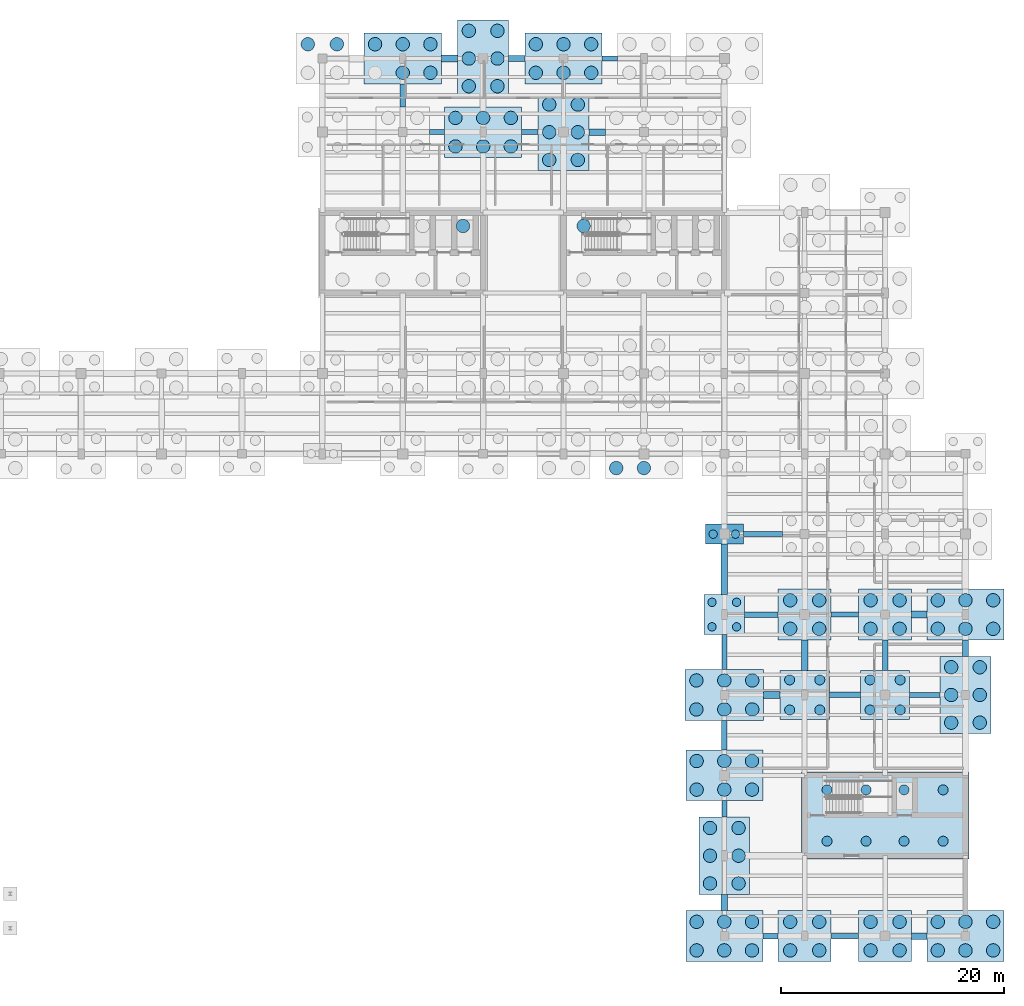
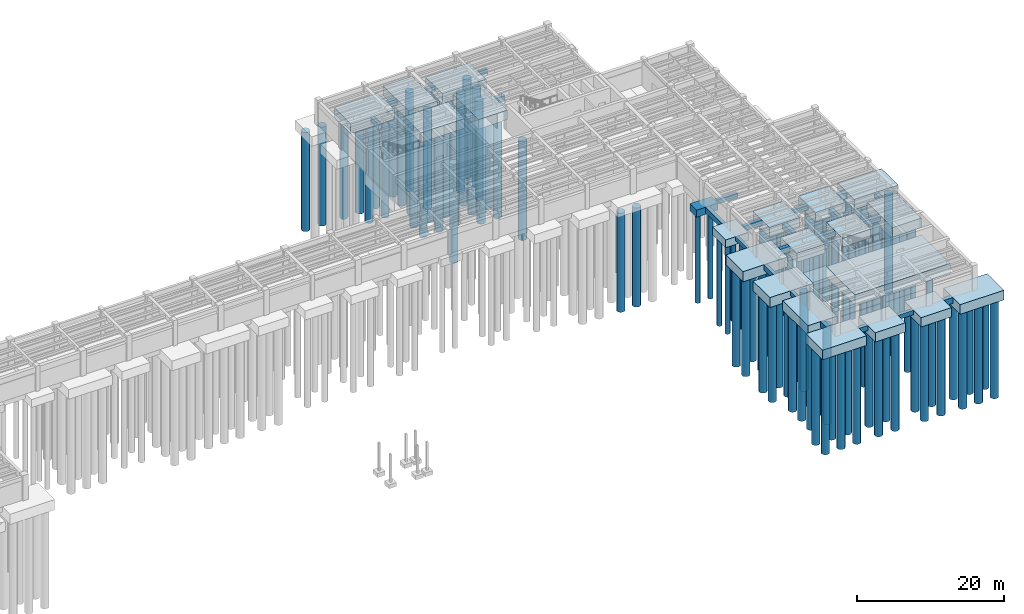
# One storey, part 3 of 22: 115 piles, 46 footings.
"""IFC4 building model written with IfcOpenShell, lengths in metres."""

from ifc_helpers import new_model, si_unit, direction, frame, origin, origin_2d, place, context, subcontext, project, spatial, rectangle, circle, extrude, material, material_profile, profile_set, type_object, element, save


model = new_model("IFC4")

# Units and contexts
model_context = context("Model", 3, precision=1e-05, world=origin(), true_north=direction((0.0, 1.0)))
body_context = subcontext(model_context, "Body", "Model", "MODEL_VIEW")
ifc_project = project(units=[si_unit("LENGTHUNIT", "METRE"), si_unit("AREAUNIT", "SQUARE_METRE"), si_unit("VOLUMEUNIT", "CUBIC_METRE"), si_unit("PLANEANGLEUNIT", "RADIAN"), si_unit("MASSUNIT", "GRAM", prefix="KILO")], contexts=[model_context])

# Site, building, storey
site_placement = place(None, origin())
site = spatial("IfcSite", under=ifc_project, at=site_placement, CompositionType="ELEMENT")
building_placement = place(site_placement, origin())
building = spatial("IfcBuilding", under=site, at=building_placement, Name="Mithqara Police Headquarters", CompositionType="ELEMENT")
storey_placement = place(building_placement, frame((0.0, 0.0, -8.39990234375)))
storey = spatial("IfcBuildingStorey", under=building, at=storey_placement, Name="B2", CompositionType="ELEMENT", Elevation=-8.39990234375)

# Footings
ifc_material = material(Name="Concrete C40/50", Category="concrete")
footing_type_1 = type_object("IfcFootingType", Name="CORE MAT 15000X7800X1700", PredefinedType="PILE_CAP", material=ifc_material)
footing_1_placement = place(storey_placement, frame((159.0, 46.199951171875, -1.7001953125), z_axis=(0.0, 0.0, 1.0), x_axis=(1.0, 0.0, 0.0)))
element("IfcFooting", 1, at=footing_1_placement, inside=storey, type_object=footing_type_1, Name="Core C4 Forensics East Piled Core Raft", PredefinedType="PILE_CAP", context=body_context, shape_type="SweptSolid", body=[
    extrude(rectangle(XDim=15.0, YDim=7.800048828125, at=origin_2d()), origin(), (0.0, 0.0, 1.0), 1.699951171875),
])
footing_type_2 = type_object("IfcFootingType", Name="GROUND BEAM 450X750", PredefinedType="FOOTING_BEAM", material=ifc_material)
footing_2_placement = place(storey_placement, frame((118.862548828125, 107.39990234375, -0.75), z_axis=(0.0, 0.0, 1.0), x_axis=(1.0, 0.0, 0.0)))
element("IfcFooting", 2, at=footing_2_placement, inside=storey, type_object=footing_type_2, Name="B2 Ground Tie Beam 17-18/R", PredefinedType="FOOTING_BEAM", context=body_context, shape_type="SweptSolid", body=[
    extrude(rectangle(XDim=1.375, YDim=0.449951171875, at=origin_2d()), origin(), (0.0, 0.0, 1.0), 0.75),
])
footing_3_placement = place(storey_placement, frame((127.1875, 107.39990234375, -0.75), z_axis=(0.0, 0.0, 1.0), x_axis=(1.0, 0.0, 0.0)))
element("IfcFooting", 3, at=footing_3_placement, inside=storey, type_object=footing_type_2, Name="B2 Ground Tie Beam 18-19/R", PredefinedType="FOOTING_BEAM", context=body_context, shape_type="SweptSolid", body=[
    extrude(rectangle(XDim=1.47509765625, YDim=0.449951171875, at=origin_2d()), origin(), (0.0, 0.0, 1.0), 0.75),
])
footing_4_placement = place(storey_placement, frame((134.33740234375, 114.0, -0.75), z_axis=(0.0, 0.0, 1.0), x_axis=(1.0, 0.0, 0.0)))
element("IfcFooting", 4, at=footing_4_placement, inside=storey, type_object=footing_type_2, Name="B2 Ground Tie Beam 19-20/S", PredefinedType="FOOTING_BEAM", context=body_context, shape_type="SweptSolid", body=[
    extrude(rectangle(XDim=1.375, YDim=0.449951171875, at=origin_2d()), origin(), (0.0, 0.0, 1.0), 0.75),
])
footing_5_placement = place(storey_placement, frame((144.60009765625, 46.78759765625, -0.75), z_axis=(0.0, 0.0, 1.0), x_axis=(1.0, 0.0, 0.0)))
element("IfcFooting", 5, at=footing_5_placement, inside=storey, type_object=footing_type_2, Name="B2 Ground Tie Beam 21/G-H", PredefinedType="FOOTING_BEAM", context=body_context, shape_type="SweptSolid", body=[
    extrude(rectangle(XDim=0.449951171875, YDim=1.47509765625, at=origin_2d()), origin(), (0.0, 0.0, 1.0), 0.75),
])
footing_6_placement = place(storey_placement, frame((144.60009765625, 60.85009765625, -0.75), z_axis=(0.0, 0.0, 1.0), x_axis=(1.0, 0.0, 0.0)))
element("IfcFooting", 6, at=footing_6_placement, inside=storey, type_object=footing_type_2, Name="B2 Ground Tie Beam 21/J-K", PredefinedType="FOOTING_BEAM", context=body_context, shape_type="SweptSolid", body=[
    extrude(rectangle(XDim=0.449951171875, YDim=3.10009765625, at=origin_2d()), origin(), (0.0, 0.0, 1.0), 0.75),
])
footing_7_placement = place(storey_placement, frame((148.050048828125, 71.39990234375, -0.75), z_axis=(0.0, 0.0, 1.0), x_axis=(1.0, 0.0, 0.0)))
element("IfcFooting", 7, at=footing_7_placement, inside=storey, type_object=footing_type_2, Name="B2 Ground Tie Beam 21-22/L", PredefinedType="FOOTING_BEAM", context=body_context, shape_type="SweptSolid", body=[
    extrude(rectangle(XDim=3.5, YDim=0.449951171875, at=origin_2d()), origin(), (0.0, 0.0, 1.0), 0.75),
])
for number, where, z_axis, x_axis, name in (
    (8, (155.39990234375, 35.39990234375, -0.75), (0.0, 0.0, 1.0), (1.0, 0.0, 0.0), "B2 Ground Tie Beam 22-23/F"),
    (9, (155.39990234375, 64.199951171875, -0.75), (0.0, 0.0, 1.0), (1.0, 0.0, 0.0), "B2 Ground Tie Beam 22-23/K"),
):
    element("IfcFooting", number, at=place(storey_placement, frame(where, z_axis=z_axis, x_axis=x_axis)), inside=storey, type_object=footing_type_2, Name=name, PredefinedType="FOOTING_BEAM", context=body_context, shape_type="SweptSolid", body=[
        extrude(rectangle(XDim=2.449951171875, YDim=0.449951171875, at=origin_2d()), origin(), (0.0, 0.0, 1.0), 0.75),
    ])
footing_8_placement = place(storey_placement, frame((162.5625, 57.0, -0.75), z_axis=(0.0, 0.0, 1.0), x_axis=(1.0, 0.0, 0.0)))
element("IfcFooting", 10, at=footing_8_placement, inside=storey, type_object=footing_type_2, Name="B2 Ground Tie Beam 23-24/J", PredefinedType="FOOTING_BEAM", context=body_context, shape_type="SweptSolid", body=[
    extrude(rectangle(XDim=2.72509765625, YDim=0.449951171875, at=origin_2d()), origin(), (0.0, 0.0, 1.0), 0.75),
])
footing_type_3 = type_object("IfcFootingType", Name="GROUND BEAM 500X850", PredefinedType="FOOTING_BEAM", material=ifc_material)
footing_9_placement = place(storey_placement, frame((115.800048828125, 110.699951171875, -0.85009765625), z_axis=(0.0, 0.0, 1.0), x_axis=(1.0, 0.0, 0.0)))
element("IfcFooting", 11, at=footing_9_placement, inside=storey, type_object=footing_type_3, Name="B2 Ground Tie Beam 17/R-S", PredefinedType="FOOTING_BEAM", context=body_context, shape_type="SweptSolid", body=[
    extrude(rectangle(XDim=0.5, YDim=2.050048828125, at=origin_2d()), origin(), (0.0, 0.0, 1.0), 0.85009765625),
])
footing_10_placement = place(storey_placement, frame((126.012451171875, 114.0, -0.85009765625), z_axis=(0.0, 0.0, 1.0), x_axis=(1.0, 0.0, 0.0)))
element("IfcFooting", 12, at=footing_10_placement, inside=storey, type_object=footing_type_3, Name="B2 Ground Tie Beam 18-19/S", PredefinedType="FOOTING_BEAM", context=body_context, shape_type="SweptSolid", body=[
    extrude(rectangle(XDim=1.47509765625, YDim=0.5, at=origin_2d()), origin(), (0.0, 0.0, 1.0), 0.85009765625),
])
footing_11_placement = place(storey_placement, frame((148.737548828125, 35.39990234375, -0.85009765625), z_axis=(0.0, 0.0, 1.0), x_axis=(1.0, 0.0, 0.0)))
element("IfcFooting", 13, at=footing_11_placement, inside=storey, type_object=footing_type_3, Name="B2 Ground Tie Beam 21-22/F", PredefinedType="FOOTING_BEAM", context=body_context, shape_type="SweptSolid", body=[
    extrude(rectangle(XDim=1.375, YDim=0.5, at=origin_2d()), origin(), (0.0, 0.0, 1.0), 0.85009765625),
])
footing_12_placement = place(storey_placement, frame((144.60009765625, 53.387451171875, -0.85009765625), z_axis=(0.0, 0.0, 1.0), x_axis=(1.0, 0.0, 0.0)))
element("IfcFooting", 14, at=footing_12_placement, inside=storey, type_object=footing_type_3, Name="B2 Ground Tie Beam 21/H-J", PredefinedType="FOOTING_BEAM", context=body_context, shape_type="SweptSolid", body=[
    extrude(rectangle(XDim=0.5, YDim=2.625, at=origin_2d()), origin(), (0.0, 0.0, 1.0), 0.85009765625),
])
footing_13_placement = place(storey_placement, frame((147.91259765625, 64.199951171875, -0.85009765625), z_axis=(0.0, 0.0, 1.0), x_axis=(1.0, 0.0, 0.0)))
element("IfcFooting", 15, at=footing_13_placement, inside=storey, type_object=footing_type_3, Name="B2 Ground Tie Beam 21-22/K", PredefinedType="FOOTING_BEAM", context=body_context, shape_type="SweptSolid", body=[
    extrude(rectangle(XDim=3.02490234375, YDim=0.5, at=origin_2d()), origin(), (0.0, 0.0, 1.0), 0.85009765625),
])
footing_14_placement = place(storey_placement, frame((155.39990234375, 57.0, -0.85009765625), z_axis=(0.0, 0.0, 1.0), x_axis=(1.0, 0.0, 0.0)))
element("IfcFooting", 16, at=footing_14_placement, inside=storey, type_object=footing_type_3, Name="B2 Ground Tie Beam 22-23/J", PredefinedType="FOOTING_BEAM", context=body_context, shape_type="SweptSolid", body=[
    extrude(rectangle(XDim=2.800048828125, YDim=0.5, at=origin_2d()), origin(), (0.0, 0.0, 1.0), 0.85009765625),
])
footing_15_placement = place(storey_placement, frame((159.0, 60.5625, -0.85009765625), z_axis=(0.0, 0.0, 1.0), x_axis=(1.0, 0.0, 0.0)))
element("IfcFooting", 17, at=footing_15_placement, inside=storey, type_object=footing_type_3, Name="B2 Ground Tie Beam 23/J-K", PredefinedType="FOOTING_BEAM", context=body_context, shape_type="SweptSolid", body=[
    extrude(rectangle(XDim=0.5, YDim=2.72509765625, at=origin_2d()), origin(), (0.0, 0.0, 1.0), 0.85009765625),
])
footing_16_placement = place(storey_placement, frame((166.199951171875, 61.1875, -0.85009765625), z_axis=(0.0, 0.0, 1.0), x_axis=(1.0, 0.0, 0.0)))
element("IfcFooting", 18, at=footing_16_placement, inside=storey, type_object=footing_type_3, Name="B2 Ground Tie Beam 24/J-K", PredefinedType="FOOTING_BEAM", context=body_context, shape_type="SweptSolid", body=[
    extrude(rectangle(XDim=0.5, YDim=1.47509765625, at=origin_2d()), origin(), (0.0, 0.0, 1.0), 0.85009765625),
])
footing_type_4 = type_object("IfcFootingType", Name="GROUND BEAM 600X950", PredefinedType="FOOTING_BEAM", material=ifc_material)
for number, where, z_axis, x_axis, name in (
    (19, (119.987548828125, 114.0, -0.9501953125), (0.0, 0.0, 1.0), (1.0, 0.0, 0.0), "B2 Ground Tie Beam 17-18/S"),
    (20, (133.21240234375, 107.39990234375, -0.9501953125), (0.0, 0.0, 1.0), (1.0, 0.0, 0.0), "B2 Ground Tie Beam 19-20/R"),
):
    element("IfcFooting", number, at=place(storey_placement, frame(where, z_axis=z_axis, x_axis=x_axis)), inside=storey, type_object=footing_type_4, Name=name, PredefinedType="FOOTING_BEAM", context=body_context, shape_type="SweptSolid", body=[
        extrude(rectangle(XDim=1.47509765625, YDim=0.60009765625, at=origin_2d()), origin(), (0.0, 0.0, 1.0), 0.949951171875),
    ])
footing_17_placement = place(storey_placement, frame((144.60009765625, 38.41259765625, -0.9501953125), z_axis=(0.0, 0.0, 1.0), x_axis=(1.0, 0.0, 0.0)))
element("IfcFooting", 21, at=footing_17_placement, inside=storey, type_object=footing_type_4, Name="B2 Ground Tie Beam 21/F-G", PredefinedType="FOOTING_BEAM", context=body_context, shape_type="SweptSolid", body=[
    extrude(rectangle(XDim=0.60009765625, YDim=1.47509765625, at=origin_2d()), origin(), (0.0, 0.0, 1.0), 0.949951171875),
])
footing_18_placement = place(storey_placement, frame((148.85009765625, 57.0, -0.9501953125), z_axis=(0.0, 0.0, 1.0), x_axis=(1.0, 0.0, 0.0)))
element("IfcFooting", 22, at=footing_18_placement, inside=storey, type_object=footing_type_4, Name="B2 Ground Tie Beam 21-22/J", PredefinedType="FOOTING_BEAM", context=body_context, shape_type="SweptSolid", body=[
    extrude(rectangle(XDim=1.5, YDim=0.60009765625, at=origin_2d()), origin(), (0.0, 0.0, 1.0), 0.949951171875),
])
footing_19_placement = place(storey_placement, frame((144.60009765625, 68.25, -0.9501953125), z_axis=(0.0, 0.0, 1.0), x_axis=(1.0, 0.0, 0.0)))
element("IfcFooting", 23, at=footing_19_placement, inside=storey, type_object=footing_type_4, Name="B2 Ground Tie Beam 21/K-L", PredefinedType="FOOTING_BEAM", context=body_context, shape_type="SweptSolid", body=[
    extrude(rectangle(XDim=0.60009765625, YDim=4.5, at=origin_2d()), origin(), (0.0, 0.0, 1.0), 0.949951171875),
])
footing_20_placement = place(storey_placement, frame((151.800048828125, 60.5625, -0.9501953125), z_axis=(0.0, 0.0, 1.0), x_axis=(1.0, 0.0, 0.0)))
element("IfcFooting", 24, at=footing_20_placement, inside=storey, type_object=footing_type_4, Name="B2 Ground Tie Beam 22/J-K", PredefinedType="FOOTING_BEAM", context=body_context, shape_type="SweptSolid", body=[
    extrude(rectangle(XDim=0.60009765625, YDim=2.72509765625, at=origin_2d()), origin(), (0.0, 0.0, 1.0), 0.949951171875),
])
for number, where, z_axis, x_axis, name in (
    (25, (162.0625, 35.39990234375, -0.9501953125), (0.0, 0.0, 1.0), (1.0, 0.0, 0.0), "B2 Ground Tie Beam 23-24/F"),
    (26, (162.0625, 64.199951171875, -0.9501953125), (0.0, 0.0, 1.0), (1.0, 0.0, 0.0), "B2 Ground Tie Beam 23-24/K"),
):
    element("IfcFooting", number, at=place(storey_placement, frame(where, z_axis=z_axis, x_axis=x_axis)), inside=storey, type_object=footing_type_4, Name=name, PredefinedType="FOOTING_BEAM", context=body_context, shape_type="SweptSolid", body=[
        extrude(rectangle(XDim=1.375, YDim=0.60009765625, at=origin_2d()), origin(), (0.0, 0.0, 1.0), 0.949951171875),
    ])
footing_type_5 = type_object("IfcFootingType", Name="PILE CAP 2P 3400X1800X1200", PredefinedType="PILE_CAP", material=ifc_material)
footing_21_placement = place(storey_placement, frame((144.60009765625, 71.39990234375, -1.2001953125), z_axis=(0.0, 0.0, 1.0), x_axis=(1.0, 0.0, 0.0)))
element("IfcFooting", 27, at=footing_21_placement, inside=storey, type_object=footing_type_5, Name="B2 Pile Cap 21/L", PredefinedType="PILE_CAP", context=body_context, shape_type="SweptSolid", body=[
    extrude(rectangle(XDim=3.39990234375, YDim=1.800048828125, at=origin_2d()), origin(), (0.0, 0.0, 1.0), 1.199951171875),
])
footing_type_6 = type_object("IfcFootingType", Name="PILE CAP 4P 3600X3600X1300", PredefinedType="PILE_CAP", material=ifc_material)
footing_22_placement = place(storey_placement, frame((144.60009765625, 64.199951171875, -1.30029296875), z_axis=(0.0, 0.0, 1.0), x_axis=(1.0, 0.0, 0.0)))
element("IfcFooting", 28, at=footing_22_placement, inside=storey, type_object=footing_type_6, Name="B2 Pile Cap 21/K", PredefinedType="PILE_CAP", context=body_context, shape_type="SweptSolid", body=[
    extrude(rectangle(XDim=3.60009765625, YDim=3.60009765625, at=origin_2d()), origin(), (0.0, 0.0, 1.0), 1.300048828125),
])
footing_type_7 = type_object("IfcFootingType", Name="PILE CAP 4P 4400X4400X1500", PredefinedType="PILE_CAP", material=ifc_material)
for number, where, z_axis, x_axis, name in (
    (29, (151.800048828125, 57.0, -1.5), (0.0, 0.0, 1.0), (1.0, 0.0, 0.0), "B2 Pile Cap 22/J"),
    (30, (159.0, 57.0, -1.5), (0.0, 0.0, 1.0), (1.0, 0.0, 0.0), "B2 Pile Cap 23/J"),
):
    element("IfcFooting", number, at=place(storey_placement, frame(where, z_axis=z_axis, x_axis=x_axis)), inside=storey, type_object=footing_type_7, Name=name, PredefinedType="PILE_CAP", context=body_context, shape_type="SweptSolid", body=[
        extrude(rectangle(XDim=4.39990234375, YDim=4.39990234375, at=origin_2d()), origin(), (0.0, 0.0, 1.0), 1.5),
    ])
footing_type_8 = type_object("IfcFootingType", Name="PILE CAP 4P 4600X4000X1550", PredefinedType="PILE_CAP", material=ifc_material)
for number, where, z_axis, x_axis, name in (
    (31, (151.800048828125, 35.39990234375, -1.55029296875), (0.0, 0.0, 1.0), (1.0, 0.0, 0.0), "B2 Pile Cap 22/F"),
    (32, (151.800048828125, 64.199951171875, -1.55029296875), (0.0, 0.0, 1.0), (1.0, 0.0, 0.0), "B2 Pile Cap 22/K"),
    (33, (159.0, 35.39990234375, -1.55029296875), (0.0, 0.0, 1.0), (1.0, 0.0, 0.0), "B2 Pile Cap 23/F"),
    (34, (159.0, 64.199951171875, -1.55029296875), (0.0, 0.0, 1.0), (1.0, 0.0, 0.0), "B2 Pile Cap 23/K"),
):
    element("IfcFooting", number, at=place(storey_placement, frame(where, z_axis=z_axis, x_axis=x_axis)), inside=storey, type_object=footing_type_8, Name=name, PredefinedType="PILE_CAP", context=body_context, shape_type="SweptSolid", body=[
        extrude(rectangle(XDim=4.75, YDim=4.550048828125, at=origin_2d()), origin(), (0.0, 0.0, 1.0), 1.550048828125),
    ])
footing_type_9 = type_object("IfcFootingType", Name="PILE CAP 6P 3800X6000X1600", PredefinedType="PILE_CAP", material=ifc_material)
for number, where, z_axis, x_axis, name in (
    (35, (123.0, 114.0, -1.60009765625), (0.0, 0.0, 1.0), (1.0, 0.0, 0.0), "B2 Pile Cap 18/S"),
    (36, (130.199951171875, 107.39990234375, -1.60009765625), (0.0, 0.0, 1.0), (1.0, 0.0, 0.0), "B2 Pile Cap 19/R"),
    (37, (144.60009765625, 42.60009765625, -1.60009765625), (0.0, 0.0, 1.0), (1.0, 0.0, 0.0), "B2 Pile Cap 21/G"),
    (38, (166.199951171875, 57.0, -1.60009765625), (0.0, 0.0, 1.0), (1.0, 0.0, 0.0), "B2 Pile Cap 24/J"),
):
    element("IfcFooting", number, at=place(storey_placement, frame(where, z_axis=z_axis, x_axis=x_axis)), inside=storey, type_object=footing_type_9, Name=name, PredefinedType="PILE_CAP", context=body_context, shape_type="SweptSolid", body=[
        extrude(rectangle(XDim=4.550048828125, YDim=6.89990234375, at=origin_2d()), origin(), (0.0, 0.0, 1.0), 1.60009765625),
    ])
footing_type_10 = type_object("IfcFootingType", Name="PILE CAP 6P 6000X3800X1600", PredefinedType="PILE_CAP", material=ifc_material)
for number, where, z_axis, x_axis, name in (
    (39, (115.800048828125, 114.0, -1.60009765625), (0.0, 0.0, 1.0), (1.0, 0.0, 0.0), "B2 Pile Cap 17/S"),
    (40, (123.0, 107.39990234375, -1.60009765625), (0.0, 0.0, 1.0), (1.0, 0.0, 0.0), "B2 Pile Cap 18/R"),
    (41, (144.60009765625, 35.39990234375, -1.60009765625), (0.0, 0.0, 1.0), (1.0, 0.0, 0.0), "B2 Pile Cap 21/F"),
    (42, (166.199951171875, 35.39990234375, -1.60009765625), (0.0, 0.0, 1.0), (1.0, 0.0, 0.0), "B2 Pile Cap 24/F"),
):
    element("IfcFooting", number, at=place(storey_placement, frame(where, z_axis=z_axis, x_axis=x_axis)), inside=storey, type_object=footing_type_10, Name=name, PredefinedType="PILE_CAP", context=body_context, shape_type="SweptSolid", body=[
        extrude(rectangle(XDim=6.89990234375, YDim=4.550048828125, at=origin_2d()), origin(), (0.0, 0.0, 1.0), 1.60009765625),
    ])
footing_type_11 = type_object("IfcFootingType", Name="PILE CAP 6P 6200X4000X1650", PredefinedType="PILE_CAP", material=ifc_material)
for number, where, z_axis, x_axis, name in (
    (43, (130.199951171875, 114.0, -1.650146484375), (0.0, 0.0, 1.0), (1.0, 0.0, 0.0), "B2 Pile Cap 19/S"),
    (44, (144.60009765625, 49.800048828125, -1.650146484375), (0.0, 0.0, 1.0), (1.0, 0.0, 0.0), "B2 Pile Cap 21/H"),
    (45, (166.199951171875, 64.199951171875, -1.650146484375), (0.0, 0.0, 1.0), (1.0, 0.0, 0.0), "B2 Pile Cap 24/K"),
):
    element("IfcFooting", number, at=place(storey_placement, frame(where, z_axis=z_axis, x_axis=x_axis)), inside=storey, type_object=footing_type_11, Name=name, PredefinedType="PILE_CAP", context=body_context, shape_type="SweptSolid", body=[
        extrude(rectangle(XDim=6.89990234375, YDim=4.550048828125, at=origin_2d()), origin(), (0.0, 0.0, 1.0), 1.64990234375),
    ])
footing_type_12 = type_object("IfcFootingType", Name="PILE CAP 6P 6400X4200X1700", PredefinedType="PILE_CAP", material=ifc_material)
footing_23_placement = place(storey_placement, frame((144.60009765625, 57.0, -1.7001953125), z_axis=(0.0, 0.0, 1.0), x_axis=(1.0, 0.0, 0.0)))
element("IfcFooting", 46, at=footing_23_placement, inside=storey, type_object=footing_type_12, Name="B2 Pile Cap 21/J", PredefinedType="PILE_CAP", context=body_context, shape_type="SweptSolid", body=[
    extrude(rectangle(XDim=7.0, YDim=4.60009765625, at=origin_2d()), origin(), (0.0, 0.0, 1.0), 1.699951171875),
])

# Piles
ifc_material_profile_1 = material_profile(ifc_material, circle(Radius=0.60009765625, at=origin_2d()), Name="PILE D1200")
ifc_profile_set_1 = profile_set([ifc_material_profile_1], Name="Concrete C40/50")
pile_type_1 = type_object("IfcPileType", Name="PILE D1200 16M", PredefinedType="BORED", material=ifc_profile_set_1)
for number, where, z_axis, x_axis, name in (
    (47, (121.199951171875, 99.0, -1.650146484375), (0.0, 0.0, -1.0), (1.0, 0.0, 0.0), "Core C1 Command West Bored Pile 8"),
    (48, (132.0, 99.0, -1.650146484375), (0.0, 0.0, -1.0), (1.0, 0.0, 0.0), "Core C2 Command East Bored Pile 5"),
    (49, (107.300048828125, 115.280029296875, -1.400146484375), (0.0, 0.0, -1.0), (1.0, 0.0, 0.0), "Bored Pile 16/S-3"),
    (50, (109.89990234375, 115.280029296875, -1.400146484375), (0.0, 0.0, -1.0), (1.0, 0.0, 0.0), "Bored Pile 16/S-4"),
    (51, (115.800048828125, 112.719970703125, -1.4501953125), (0.0, 0.0, -1.0), (1.0, 0.0, 0.0), "Bored Pile 17/S-2"),
    (52, (118.280029296875, 112.719970703125, -1.4501953125), (0.0, 0.0, -1.0), (1.0, 0.0, 0.0), "Bored Pile 17/S-3"),
    (53, (113.320068359375, 115.280029296875, -1.4501953125), (0.0, 0.0, -1.0), (1.0, 0.0, 0.0), "Bored Pile 17/S-4"),
    (54, (115.800048828125, 115.280029296875, -1.4501953125), (0.0, 0.0, -1.0), (1.0, 0.0, 0.0), "Bored Pile 17/S-5"),
    (55, (118.280029296875, 115.280029296875, -1.4501953125), (0.0, 0.0, -1.0), (1.0, 0.0, 0.0), "Bored Pile 17/S-6"),
    (56, (120.52001953125, 106.1201171875, -1.4501953125), (0.0, 0.0, -1.0), (1.0, 0.0, 0.0), "Bored Pile 18/R-1"),
    (57, (123.0, 106.1201171875, -1.4501953125), (0.0, 0.0, -1.0), (1.0, 0.0, 0.0), "Bored Pile 18/R-2"),
    (58, (125.47998046875, 106.1201171875, -1.4501953125), (0.0, 0.0, -1.0), (1.0, 0.0, 0.0), "Bored Pile 18/R-3"),
    (59, (120.52001953125, 108.679931640625, -1.4501953125), (0.0, 0.0, -1.0), (1.0, 0.0, 0.0), "Bored Pile 18/R-4"),
    (60, (123.0, 108.679931640625, -1.4501953125), (0.0, 0.0, -1.0), (1.0, 0.0, 0.0), "Bored Pile 18/R-5"),
    (61, (125.47998046875, 108.679931640625, -1.4501953125), (0.0, 0.0, -1.0), (1.0, 0.0, 0.0), "Bored Pile 18/R-6"),
    (62, (121.719970703125, 111.52001953125, -1.4501953125), (0.0, 0.0, -1.0), (1.0, 0.0, 0.0), "Bored Pile 18/S-1"),
    (63, (124.280029296875, 111.52001953125, -1.4501953125), (0.0, 0.0, -1.0), (1.0, 0.0, 0.0), "Bored Pile 18/S-2"),
    (64, (121.719970703125, 114.0, -1.4501953125), (0.0, 0.0, -1.0), (1.0, 0.0, 0.0), "Bored Pile 18/S-3"),
    (65, (124.280029296875, 114.0, -1.4501953125), (0.0, 0.0, -1.0), (1.0, 0.0, 0.0), "Bored Pile 18/S-4"),
    (66, (121.719970703125, 116.47998046875, -1.4501953125), (0.0, 0.0, -1.0), (1.0, 0.0, 0.0), "Bored Pile 18/S-5"),
    (67, (124.280029296875, 116.47998046875, -1.4501953125), (0.0, 0.0, -1.0), (1.0, 0.0, 0.0), "Bored Pile 18/S-6"),
    (68, (128.919921875, 104.919921875, -1.4501953125), (0.0, 0.0, -1.0), (1.0, 0.0, 0.0), "Bored Pile 19/R-1"),
    (69, (131.47998046875, 104.919921875, -1.4501953125), (0.0, 0.0, -1.0), (1.0, 0.0, 0.0), "Bored Pile 19/R-2"),
    (70, (128.919921875, 107.39990234375, -1.4501953125), (0.0, 0.0, -1.0), (1.0, 0.0, 0.0), "Bored Pile 19/R-3"),
    (71, (131.47998046875, 107.39990234375, -1.4501953125), (0.0, 0.0, -1.0), (1.0, 0.0, 0.0), "Bored Pile 19/R-4"),
    (72, (128.919921875, 109.8798828125, -1.4501953125), (0.0, 0.0, -1.0), (1.0, 0.0, 0.0), "Bored Pile 19/R-5"),
    (73, (131.47998046875, 109.8798828125, -1.4501953125), (0.0, 0.0, -1.0), (1.0, 0.0, 0.0), "Bored Pile 19/R-6"),
    (74, (127.719970703125, 112.719970703125, -1.5), (0.0, 0.0, -1.0), (1.0, 0.0, 0.0), "Bored Pile 19/S-1"),
    (75, (130.199951171875, 112.719970703125, -1.5), (0.0, 0.0, -1.0), (1.0, 0.0, 0.0), "Bored Pile 19/S-2"),
    (76, (132.679931640625, 112.719970703125, -1.5), (0.0, 0.0, -1.0), (1.0, 0.0, 0.0), "Bored Pile 19/S-3"),
    (77, (127.719970703125, 115.280029296875, -1.5), (0.0, 0.0, -1.0), (1.0, 0.0, 0.0), "Bored Pile 19/S-4"),
    (78, (130.199951171875, 115.280029296875, -1.5), (0.0, 0.0, -1.0), (1.0, 0.0, 0.0), "Bored Pile 19/S-5"),
    (79, (132.679931640625, 115.280029296875, -1.5), (0.0, 0.0, -1.0), (1.0, 0.0, 0.0), "Bored Pile 19/S-6"),
    (80, (134.919921875, 77.320068359375, -1.4501953125), (0.0, 0.0, -1.0), (1.0, 0.0, 0.0), "Bored Pile 20/M-1"),
    (81, (137.39990234375, 77.320068359375, -1.4501953125), (0.0, 0.0, -1.0), (1.0, 0.0, 0.0), "Bored Pile 20/M-2"),
    (82, (142.1201171875, 34.1201171875, -1.4501953125), (0.0, 0.0, -1.0), (1.0, 0.0, 0.0), "Bored Pile 21/F-1"),
    (83, (144.60009765625, 34.1201171875, -1.4501953125), (0.0, 0.0, -1.0), (1.0, 0.0, 0.0), "Bored Pile 21/F-2"),
    (84, (147.080078125, 34.1201171875, -1.4501953125), (0.0, 0.0, -1.0), (1.0, 0.0, 0.0), "Bored Pile 21/F-3"),
    (85, (142.1201171875, 36.679931640625, -1.4501953125), (0.0, 0.0, -1.0), (1.0, 0.0, 0.0), "Bored Pile 21/F-4"),
    (86, (144.60009765625, 36.679931640625, -1.4501953125), (0.0, 0.0, -1.0), (1.0, 0.0, 0.0), "Bored Pile 21/F-5"),
    (87, (147.080078125, 36.679931640625, -1.4501953125), (0.0, 0.0, -1.0), (1.0, 0.0, 0.0), "Bored Pile 21/F-6"),
    (88, (143.320068359375, 40.1201171875, -1.4501953125), (0.0, 0.0, -1.0), (1.0, 0.0, 0.0), "Bored Pile 21/G-1"),
    (89, (145.8798828125, 40.1201171875, -1.4501953125), (0.0, 0.0, -1.0), (1.0, 0.0, 0.0), "Bored Pile 21/G-2"),
    (90, (143.320068359375, 42.60009765625, -1.4501953125), (0.0, 0.0, -1.0), (1.0, 0.0, 0.0), "Bored Pile 21/G-3"),
    (91, (145.8798828125, 42.60009765625, -1.4501953125), (0.0, 0.0, -1.0), (1.0, 0.0, 0.0), "Bored Pile 21/G-4"),
    (92, (143.320068359375, 45.080078125, -1.4501953125), (0.0, 0.0, -1.0), (1.0, 0.0, 0.0), "Bored Pile 21/G-5"),
    (93, (145.8798828125, 45.080078125, -1.4501953125), (0.0, 0.0, -1.0), (1.0, 0.0, 0.0), "Bored Pile 21/G-6"),
    (94, (142.1201171875, 48.52001953125, -1.5), (0.0, 0.0, -1.0), (1.0, 0.0, 0.0), "Bored Pile 21/H-1"),
    (95, (144.60009765625, 48.52001953125, -1.5), (0.0, 0.0, -1.0), (1.0, 0.0, 0.0), "Bored Pile 21/H-2"),
    (96, (147.080078125, 48.52001953125, -1.5), (0.0, 0.0, -1.0), (1.0, 0.0, 0.0), "Bored Pile 21/H-3"),
    (97, (142.1201171875, 51.080078125, -1.5), (0.0, 0.0, -1.0), (1.0, 0.0, 0.0), "Bored Pile 21/H-4"),
    (98, (144.60009765625, 51.080078125, -1.5), (0.0, 0.0, -1.0), (1.0, 0.0, 0.0), "Bored Pile 21/H-5"),
    (99, (147.080078125, 51.080078125, -1.5), (0.0, 0.0, -1.0), (1.0, 0.0, 0.0), "Bored Pile 21/H-6"),
    (100, (142.10009765625, 55.699951171875, -1.550048828125), (0.0, 0.0, -1.0), (1.0, 0.0, 0.0), "Bored Pile 21/J-1"),
    (101, (144.60009765625, 55.699951171875, -1.550048828125), (0.0, 0.0, -1.0), (1.0, 0.0, 0.0), "Bored Pile 21/J-2"),
    (102, (147.10009765625, 55.699951171875, -1.550048828125), (0.0, 0.0, -1.0), (1.0, 0.0, 0.0), "Bored Pile 21/J-3"),
    (103, (142.10009765625, 58.300048828125, -1.550048828125), (0.0, 0.0, -1.0), (1.0, 0.0, 0.0), "Bored Pile 21/J-4"),
    (104, (144.60009765625, 58.300048828125, -1.550048828125), (0.0, 0.0, -1.0), (1.0, 0.0, 0.0), "Bored Pile 21/J-5"),
    (105, (147.10009765625, 58.300048828125, -1.550048828125), (0.0, 0.0, -1.0), (1.0, 0.0, 0.0), "Bored Pile 21/J-6"),
    (106, (150.5, 34.1201171875, -1.400146484375), (0.0, 0.0, -1.0), (1.0, 0.0, 0.0), "Bored Pile 22/F-1"),
    (107, (153.10009765625, 34.1201171875, -1.400146484375), (0.0, 0.0, -1.0), (1.0, 0.0, 0.0), "Bored Pile 22/F-2"),
    (108, (150.5, 36.679931640625, -1.400146484375), (0.0, 0.0, -1.0), (1.0, 0.0, 0.0), "Bored Pile 22/F-3"),
    (109, (153.10009765625, 36.679931640625, -1.400146484375), (0.0, 0.0, -1.0), (1.0, 0.0, 0.0), "Bored Pile 22/F-4"),
    (110, (150.5, 62.919921875, -1.400146484375), (0.0, 0.0, -1.0), (1.0, 0.0, 0.0), "Bored Pile 22/K-1"),
    (111, (153.10009765625, 62.919921875, -1.400146484375), (0.0, 0.0, -1.0), (1.0, 0.0, 0.0), "Bored Pile 22/K-2"),
    (112, (150.5, 65.47998046875, -1.400146484375), (0.0, 0.0, -1.0), (1.0, 0.0, 0.0), "Bored Pile 22/K-3"),
    (113, (153.10009765625, 65.47998046875, -1.400146484375), (0.0, 0.0, -1.0), (1.0, 0.0, 0.0), "Bored Pile 22/K-4"),
    (114, (157.699951171875, 34.1201171875, -1.400146484375), (0.0, 0.0, -1.0), (1.0, 0.0, 0.0), "Bored Pile 23/F-1"),
    (115, (160.300048828125, 34.1201171875, -1.400146484375), (0.0, 0.0, -1.0), (1.0, 0.0, 0.0), "Bored Pile 23/F-2"),
    (116, (157.699951171875, 36.679931640625, -1.400146484375), (0.0, 0.0, -1.0), (1.0, 0.0, 0.0), "Bored Pile 23/F-3"),
    (117, (160.300048828125, 36.679931640625, -1.400146484375), (0.0, 0.0, -1.0), (1.0, 0.0, 0.0), "Bored Pile 23/F-4"),
    (118, (157.699951171875, 62.919921875, -1.400146484375), (0.0, 0.0, -1.0), (1.0, 0.0, 0.0), "Bored Pile 23/K-1"),
    (119, (160.300048828125, 62.919921875, -1.400146484375), (0.0, 0.0, -1.0), (1.0, 0.0, 0.0), "Bored Pile 23/K-2"),
    (120, (157.699951171875, 65.47998046875, -1.400146484375), (0.0, 0.0, -1.0), (1.0, 0.0, 0.0), "Bored Pile 23/K-3"),
    (121, (160.300048828125, 65.47998046875, -1.400146484375), (0.0, 0.0, -1.0), (1.0, 0.0, 0.0), "Bored Pile 23/K-4"),
    (122, (163.719970703125, 34.1201171875, -1.4501953125), (0.0, 0.0, -1.0), (1.0, 0.0, 0.0), "Bored Pile 24/F-1"),
    (123, (166.199951171875, 34.1201171875, -1.4501953125), (0.0, 0.0, -1.0), (1.0, 0.0, 0.0), "Bored Pile 24/F-2"),
    (124, (168.679931640625, 34.1201171875, -1.4501953125), (0.0, 0.0, -1.0), (1.0, 0.0, 0.0), "Bored Pile 24/F-3"),
    (125, (163.719970703125, 36.679931640625, -1.4501953125), (0.0, 0.0, -1.0), (1.0, 0.0, 0.0), "Bored Pile 24/F-4"),
    (126, (166.199951171875, 36.679931640625, -1.4501953125), (0.0, 0.0, -1.0), (1.0, 0.0, 0.0), "Bored Pile 24/F-5"),
    (127, (168.679931640625, 36.679931640625, -1.4501953125), (0.0, 0.0, -1.0), (1.0, 0.0, 0.0), "Bored Pile 24/F-6"),
    (128, (164.919921875, 54.52001953125, -1.4501953125), (0.0, 0.0, -1.0), (1.0, 0.0, 0.0), "Bored Pile 24/J-1"),
    (129, (167.47998046875, 54.52001953125, -1.4501953125), (0.0, 0.0, -1.0), (1.0, 0.0, 0.0), "Bored Pile 24/J-2"),
    (130, (164.919921875, 57.0, -1.4501953125), (0.0, 0.0, -1.0), (1.0, 0.0, 0.0), "Bored Pile 24/J-3"),
    (131, (167.47998046875, 57.0, -1.4501953125), (0.0, 0.0, -1.0), (1.0, 0.0, 0.0), "Bored Pile 24/J-4"),
    (132, (164.919921875, 59.47998046875, -1.4501953125), (0.0, 0.0, -1.0), (1.0, 0.0, 0.0), "Bored Pile 24/J-5"),
    (133, (167.47998046875, 59.47998046875, -1.4501953125), (0.0, 0.0, -1.0), (1.0, 0.0, 0.0), "Bored Pile 24/J-6"),
    (134, (163.719970703125, 62.919921875, -1.5), (0.0, 0.0, -1.0), (1.0, 0.0, 0.0), "Bored Pile 24/K-1"),
    (135, (166.199951171875, 62.919921875, -1.5), (0.0, 0.0, -1.0), (1.0, 0.0, 0.0), "Bored Pile 24/K-2"),
    (136, (168.679931640625, 62.919921875, -1.5), (0.0, 0.0, -1.0), (1.0, 0.0, 0.0), "Bored Pile 24/K-3"),
    (137, (163.719970703125, 65.47998046875, -1.5), (0.0, 0.0, -1.0), (1.0, 0.0, 0.0), "Bored Pile 24/K-4"),
    (138, (166.199951171875, 65.47998046875, -1.5), (0.0, 0.0, -1.0), (1.0, 0.0, 0.0), "Bored Pile 24/K-5"),
    (139, (168.679931640625, 65.47998046875, -1.5), (0.0, 0.0, -1.0), (1.0, 0.0, 0.0), "Bored Pile 24/K-6"),
):
    element("IfcPile", number, at=place(storey_placement, frame(where, z_axis=z_axis, x_axis=x_axis)), inside=storey, type_object=pile_type_1, Name=name, PredefinedType="BORED", context=body_context, shape_type="SweptSolid", body=[
        extrude(circle(Radius=0.60009765625, at=origin_2d()), origin(), (0.0, 0.0, 1.0), 16.449951171875),
    ])
ifc_material_profile_2 = material_profile(ifc_material, circle(Radius=0.375, at=origin_2d()), Name="PILE D750")
ifc_profile_set_2 = profile_set([ifc_material_profile_2], Name="Concrete C40/50")
pile_type_2 = type_object("IfcPileType", Name="PILE D750 14M", PredefinedType="BORED", material=ifc_profile_set_2)
for number, where, z_axis, x_axis, name in (
    (140, (143.5, 63.10009765625, -1.150146484375), (0.0, 0.0, -1.0), (1.0, 0.0, 0.0), "Bored Pile 21/K-1"),
    (141, (145.699951171875, 63.10009765625, -1.150146484375), (0.0, 0.0, -1.0), (1.0, 0.0, 0.0), "Bored Pile 21/K-2"),
    (142, (143.5, 65.300048828125, -1.150146484375), (0.0, 0.0, -1.0), (1.0, 0.0, 0.0), "Bored Pile 21/K-3"),
    (143, (145.699951171875, 65.300048828125, -1.150146484375), (0.0, 0.0, -1.0), (1.0, 0.0, 0.0), "Bored Pile 21/K-4"),
    (144, (143.60009765625, 71.39990234375, -1.050048828125), (0.0, 0.0, -1.0), (1.0, 0.0, 0.0), "Bored Pile 21/L-1"),
    (145, (145.60009765625, 71.39990234375, -1.050048828125), (0.0, 0.0, -1.0), (1.0, 0.0, 0.0), "Bored Pile 21/L-2"),
):
    element("IfcPile", number, at=place(storey_placement, frame(where, z_axis=z_axis, x_axis=x_axis)), inside=storey, type_object=pile_type_2, Name=name, PredefinedType="BORED", context=body_context, shape_type="SweptSolid", body=[
        extrude(circle(Radius=0.375, at=origin_2d()), origin(), (0.0, 0.0, 1.0), 14.949951171875),
    ])
ifc_material_profile_3 = material_profile(ifc_material, circle(Radius=0.449951171875, at=origin_2d()), Name="PILE D900")
ifc_profile_set_3 = profile_set([ifc_material_profile_3], Name="Concrete C40/50")
pile_type_3 = type_object("IfcPileType", Name="PILE D900 15M", PredefinedType="BORED", material=ifc_profile_set_3)
for number, where, z_axis, x_axis, name in (
    (146, (153.800048828125, 43.89990234375, -1.550048828125), (0.0, 0.0, -1.0), (1.0, 0.0, 0.0), "Core C4 Forensics East Bored Pile 1"),
    (147, (157.300048828125, 43.89990234375, -1.550048828125), (0.0, 0.0, -1.0), (1.0, 0.0, 0.0), "Core C4 Forensics East Bored Pile 2"),
    (148, (160.699951171875, 43.89990234375, -1.550048828125), (0.0, 0.0, -1.0), (1.0, 0.0, 0.0), "Core C4 Forensics East Bored Pile 3"),
    (149, (164.199951171875, 43.89990234375, -1.550048828125), (0.0, 0.0, -1.0), (1.0, 0.0, 0.0), "Core C4 Forensics East Bored Pile 4"),
    (150, (153.800048828125, 48.5, -1.550048828125), (0.0, 0.0, -1.0), (1.0, 0.0, 0.0), "Core C4 Forensics East Bored Pile 5"),
    (151, (157.300048828125, 48.5, -1.550048828125), (0.0, 0.0, -1.0), (1.0, 0.0, 0.0), "Core C4 Forensics East Bored Pile 6"),
    (152, (160.699951171875, 48.5, -1.550048828125), (0.0, 0.0, -1.0), (1.0, 0.0, 0.0), "Core C4 Forensics East Bored Pile 7"),
    (153, (164.199951171875, 48.5, -1.550048828125), (0.0, 0.0, -1.0), (1.0, 0.0, 0.0), "Core C4 Forensics East Bored Pile 8"),
    (154, (150.449951171875, 55.64990234375, -1.35009765625), (0.0, 0.0, -1.0), (1.0, 0.0, 0.0), "Bored Pile 22/J-1"),
    (155, (153.14990234375, 55.64990234375, -1.35009765625), (0.0, 0.0, -1.0), (1.0, 0.0, 0.0), "Bored Pile 22/J-2"),
    (156, (150.449951171875, 58.35009765625, -1.35009765625), (0.0, 0.0, -1.0), (1.0, 0.0, 0.0), "Bored Pile 22/J-3"),
    (157, (153.14990234375, 58.35009765625, -1.35009765625), (0.0, 0.0, -1.0), (1.0, 0.0, 0.0), "Bored Pile 22/J-4"),
    (158, (157.64990234375, 55.64990234375, -1.35009765625), (0.0, 0.0, -1.0), (1.0, 0.0, 0.0), "Bored Pile 23/J-1"),
    (159, (160.35009765625, 55.64990234375, -1.35009765625), (0.0, 0.0, -1.0), (1.0, 0.0, 0.0), "Bored Pile 23/J-2"),
    (160, (157.64990234375, 58.35009765625, -1.35009765625), (0.0, 0.0, -1.0), (1.0, 0.0, 0.0), "Bored Pile 23/J-3"),
    (161, (160.35009765625, 58.35009765625, -1.35009765625), (0.0, 0.0, -1.0), (1.0, 0.0, 0.0), "Bored Pile 23/J-4"),
):
    element("IfcPile", number, at=place(storey_placement, frame(where, z_axis=z_axis, x_axis=x_axis)), inside=storey, type_object=pile_type_3, Name=name, PredefinedType="BORED", context=body_context, shape_type="SweptSolid", body=[
        extrude(circle(Radius=0.449951171875, at=origin_2d()), origin(), (0.0, 0.0, 1.0), 15.25),
    ])

save(model, "model.ifc")
